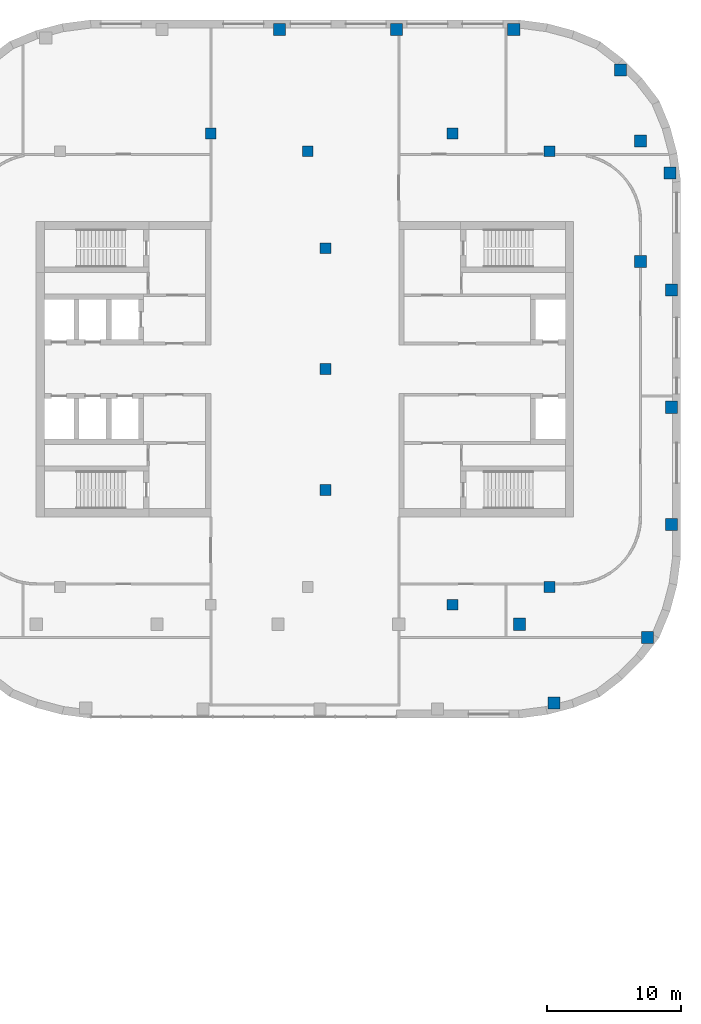
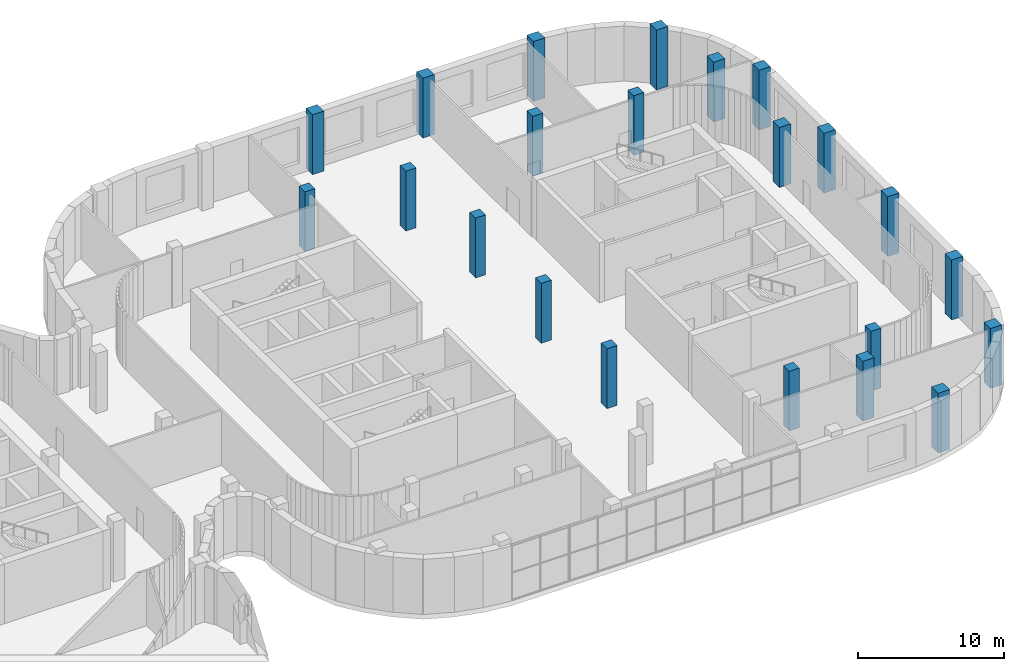
# One storey, part 2 of 24: 22 columns.
"""IFC4 building model written with IfcOpenShell, lengths in metres."""

import ifcopenshell
import ifcopenshell.guid

model = None  # the IFC model being written
_history = None  # IfcOwnerHistory: only IFC2X3 demands one
_inside = {}  # id of a spatial element -> (the spatial element, [elements in it])
_under = {}  # id of a project, library or spatial element -> (it, [spatial elements below it])
_declared = {}  # id of a project -> (the project, [libraries it declares])
_typed = {}  # id of a type object -> (the type object, [elements of that type])
_made_of = {}  # id of a material, layer set ... -> (it, [elements and type objects made of it])


def new_model(schema):
    """Start an empty IFC model of exactly this schema.

    Asked for "IFC4X3", IfcOpenShell would pick the latest addendum, in which some entities
    have other attributes; the version numbers below select the first issue.
    IFC2X3 requires an IfcOwnerHistory on every rooted entity: one is made here for all.
    """
    global model, _history
    if schema == "IFC4X3":
        model = ifcopenshell.file(schema_version=(4, 3, 0, 0))
    else:
        model = ifcopenshell.file(schema=schema)
    _inside.clear()
    _under.clear()
    _declared.clear()
    _typed.clear()
    _made_of.clear()
    _history = None
    if model.schema == "IFC2X3":
        org = make("IfcOrganization", Name="unknown")
        user = make(
            "IfcPersonAndOrganization",
            ThePerson=make("IfcPerson", FamilyName="unknown"),
            TheOrganization=org,
        )
        app = make(
            "IfcApplication",
            ApplicationDeveloper=org,
            Version="unknown",
            ApplicationFullName="unknown",
            ApplicationIdentifier="unknown",
        )
        _history = make(
            "IfcOwnerHistory",
            OwningUser=user,
            OwningApplication=app,
            ChangeAction="ADDED",
            CreationDate=0,
        )
    return model


def make(cls, **values):
    """One entity of the class cls with the attributes given. An attribute that is None is left unset."""
    return model.create_entity(
        cls, **{name: value for name, value in values.items() if value is not None}
    )


def rooted(cls, **values):
    """An entity with a GlobalId (a new one), such as an element, a storey or a relation."""
    return make(cls, GlobalId=ifcopenshell.guid.new(), OwnerHistory=_history, **values)


def si_unit(unit_type, name, prefix=None):
    """IfcSIUnit, for example si_unit("LENGTHUNIT", "METRE", prefix="MILLI")."""
    return make("IfcSIUnit", UnitType=unit_type, Prefix=prefix, Name=name)


def assignment(units):
    """IfcUnitAssignment: the units of a project."""
    return None if units is None else make("IfcUnitAssignment", Units=units)


def point(xyz):
    """IfcCartesianPoint."""
    return None if xyz is None else make("IfcCartesianPoint", Coordinates=xyz)


def direction(xyz):
    """IfcDirection."""
    return None if xyz is None else make("IfcDirection", DirectionRatios=xyz)


def frame(location, z_axis=None, x_axis=None):
    """IfcAxis2Placement3D, a coordinate frame: its origin and axes. An axis left out is left unset."""
    return make(
        "IfcAxis2Placement3D",
        Location=point(location),
        Axis=direction(z_axis),
        RefDirection=direction(x_axis),
    )


def frame_2d(location, x_axis=None):
    """IfcAxis2Placement2D, a coordinate frame in the plane: its origin and x axis."""
    return make(
        "IfcAxis2Placement2D", Location=point(location), RefDirection=direction(x_axis)
    )


def origin():
    """The frame at (0, 0, 0) with its axes left unset."""
    return frame((0.0, 0.0, 0.0))


def origin_2d():
    """The frame at (0, 0) in the plane with its x axis left unset."""
    return frame_2d((0.0, 0.0))


def place(relative_to, where):
    """IfcLocalPlacement: puts the frame where relative to a parent placement (None: the world)."""
    return make(
        "IfcLocalPlacement", PlacementRelTo=relative_to, RelativePlacement=where
    )


def context(
    kind, dimensions, precision=None, world=None, true_north=None, identifier=None
):
    """IfcGeometricRepresentationContext, for example the 3D "Model" context."""
    return make(
        "IfcGeometricRepresentationContext",
        ContextIdentifier=identifier,
        ContextType=kind,
        CoordinateSpaceDimension=dimensions,
        Precision=precision,
        WorldCoordinateSystem=world,
        TrueNorth=true_north,
    )


def subcontext(parent, identifier, kind, view, scale=None):
    """IfcGeometricRepresentationSubContext, for example "Body" below "Model"."""
    return make(
        "IfcGeometricRepresentationSubContext",
        ContextIdentifier=identifier,
        ContextType=kind,
        ParentContext=parent,
        TargetScale=scale,
        TargetView=view,
    )


def project(units=None, contexts=None):
    """IfcProject with its units and contexts."""
    return rooted(
        "IfcProject",
        Name="project",
        RepresentationContexts=contexts,
        UnitsInContext=assignment(units),
    )


def spatial(cls, under=None, at=None, **own):
    """A site, building, storey or space (cls), placed at a placement, below another one or the project."""
    s = rooted(cls, ObjectPlacement=at, **own)
    if under is not None:
        _under.setdefault(under.id(), (under, []))[1].append(s)
    return s


def profile(cls, at=None, kind="AREA", **sizes):
    """A parametric profile (cls). Its sizes go by their IFC names, for example OverallWidth=200.0."""
    return make(cls, ProfileType=kind, Position=at, **sizes)


def rectangle(**sizes):
    """IfcRectangleProfileDef."""
    return profile("IfcRectangleProfileDef", **sizes)


def extrude(swept, where, along, depth):
    """IfcExtrudedAreaSolid: the profile swept, set in the frame where, extruded along a direction by depth."""
    return make(
        "IfcExtrudedAreaSolid",
        SweptArea=swept,
        Position=where,
        ExtrudedDirection=direction(along),
        Depth=depth,
    )


def shape(context_of_items, identifier, shape_type, items):
    """IfcShapeRepresentation: the items that make up one representation, for example the "Body"."""
    return make(
        "IfcShapeRepresentation",
        ContextOfItems=context_of_items,
        RepresentationIdentifier=identifier,
        RepresentationType=shape_type,
        Items=items,
    )


def material(Name=None, Category=None):
    """IfcMaterial."""
    return make("IfcMaterial", Name=Name, Category=Category)


def material_profile(
    of_material, cross_section, Name=None, Category=None, Priority=None
):
    """IfcMaterialProfile: a cross section and its material."""
    return make(
        "IfcMaterialProfile",
        Name=Name,
        Material=of_material,
        Profile=cross_section,
        Priority=Priority,
        Category=Category,
    )


def profile_set(profiles, Name=None, composite=None):
    """IfcMaterialProfileSet."""
    return make(
        "IfcMaterialProfileSet",
        Name=Name,
        MaterialProfiles=profiles,
        CompositeProfile=composite,
    )


def made_of(thing, what):
    """Note that an element or type object is made of a material, layer set ...; save() writes the relation."""
    if what is not None:
        _made_of.setdefault(what.id(), (what, []))[1].append(thing)
    return thing


def type_object(cls, material=None, **own):
    """A type object (cls), such as IfcWallType, which elements share."""
    return made_of(rooted(cls, **own), material)


def element(
    cls,
    number,
    at=None,
    inside=None,
    cuts=None,
    type_object=None,
    material=None,
    context=None,
    identifier="Body",
    shape_type=None,
    held_by="IfcProductDefinitionShape",
    body=None,
    shapes=None,
    **own,
):
    """One element of the class cls, such as IfcWall. Its Tag is "e" and its number.

    at: its placement. inside: the storey or other place that contains it. cuts: it is an
    opening in that element (IfcRelVoidsElement). A single representation is given by context,
    identifier, shape_type and body (its items); several are given by shapes. held_by: the class
    of the entity that holds the representations. save() writes the other relations.
    """
    e = rooted(cls, Tag="e%d" % number, ObjectPlacement=at, **own)
    if body is not None:
        shapes = [shape(context, identifier, shape_type, body)]
    if shapes is not None:
        e.Representation = make(held_by, Representations=shapes)
    if inside is not None:
        _inside.setdefault(inside.id(), (inside, []))[1].append(e)
    if cuts is not None:
        rooted(
            "IfcRelVoidsElement", RelatingBuildingElement=cuts, RelatedOpeningElement=e
        )
    if type_object is not None:
        _typed.setdefault(type_object.id(), (type_object, []))[1].append(e)
    return made_of(e, material)


def aggregate(whole, parts):
    """IfcRelAggregates: a whole, such as a stair, and the parts it consists of."""
    return rooted("IfcRelAggregates", RelatingObject=whole, RelatedObjects=parts)


def save(model, path):
    """Write the relations noted so far, then the file.

    IfcRelAggregates (storeys below a building ...), IfcRelContainedInSpatialStructure (elements
    in a storey), IfcRelDefinesByType, IfcRelAssociatesMaterial and IfcRelDeclares: one each for
    every whole, place, type object, material and project.
    """
    for whole, parts in _under.values():
        aggregate(whole, parts)
    for where, things in _inside.values():
        rooted(
            "IfcRelContainedInSpatialStructure",
            RelatedElements=things,
            RelatingStructure=where,
        )
    for kind, things in _typed.values():
        rooted("IfcRelDefinesByType", RelatedObjects=things, RelatingType=kind)
    for what, things in _made_of.values():
        rooted("IfcRelAssociatesMaterial", RelatedObjects=things, RelatingMaterial=what)
    for by, libraries in _declared.values():
        rooted("IfcRelDeclares", RelatingContext=by, RelatedDefinitions=libraries)
    model.write(path)


model = new_model("IFC4")

# Units and contexts
model_context = context("Model", 3, precision=1e-05, world=origin(), true_north=direction((0.0, 1.0)))
body_context = subcontext(model_context, "Body", "Model", "MODEL_VIEW")
ifc_project = project(units=[si_unit("LENGTHUNIT", "METRE"), si_unit("AREAUNIT", "SQUARE_METRE"), si_unit("VOLUMEUNIT", "CUBIC_METRE"), si_unit("PLANEANGLEUNIT", "RADIAN"), si_unit("MASSUNIT", "GRAM", prefix="KILO")], contexts=[model_context])

# Site, building, storey
site_placement = place(None, origin())
site = spatial("IfcSite", under=ifc_project, at=site_placement, CompositionType="ELEMENT")
building_placement = place(site_placement, origin())
building = spatial("IfcBuilding", under=site, at=building_placement, Name="Skarvind Civic Tower", CompositionType="ELEMENT")
storey_placement = place(building_placement, frame((0.0, 0.0, 12.5)))
storey = spatial("IfcBuildingStorey", under=building, at=storey_placement, Name="L02", CompositionType="ELEMENT", Elevation=12.5)

# Columns
ifc_material = material(Name="Concrete C60", Category="concrete")
ifc_material_profile_1 = material_profile(ifc_material, rectangle(XDim=0.800048828125, YDim=0.800048828125, at=origin_2d()), Name="RC-800x800")
ifc_profile_set_1 = profile_set([ifc_material_profile_1], Name="Concrete C60")
column_type_1 = type_object("IfcColumnType", Name="Column RC-800x800 C60", PredefinedType="COLUMN", material=ifc_profile_set_1)
for number, where, z_axis, x_axis, name in (
    (1, (148.550048828125, 119.0, 0.0), (0.0, 0.0, 1.0), (1.0, 0.0, 0.0), "Column second tower middle line 01 L02"),
    (2, (148.550048828125, 128.0, 0.0), (0.0, 0.0, 1.0), (1.0, 0.0, 0.0), "Column second tower middle line 02 L02"),
    (3, (148.550048828125, 137.0, 0.0), (0.0, 0.0, 1.0), (1.0, 0.0, 0.0), "Column second tower middle line 03 L02"),
    (4, (140.0, 145.550048828125, 0.0), (0.0, 0.0, 1.0), (1.0, 0.0, 0.0), "Column second tower north perimeter 02 L02"),
    (5, (147.222900390625, 144.222900390625, 0.0), (0.0, 0.0, 1.0), (1.0, 0.0, 0.0), "Column second tower north perimeter 03 L02"),
    (6, (165.222900390625, 144.222900390625, 0.0), (0.0, 0.0, 1.0), (1.0, 0.0, 0.0), "Column second tower north-east corner L02"),
    (7, (165.222900390625, 111.777099609375, 0.0), (0.0, 0.0, 1.0), (1.0, 0.0, 0.0), "Column second tower south-east corner L02"),
    (8, (158.0, 145.550048828125, 0.0), (0.0, 0.0, 1.0), (1.0, 0.0, 0.0), "Column second tower north perimeter 04 L02"),
    (9, (158.0, 110.449951171875, 0.0), (0.0, 0.0, 1.0), (1.0, 0.0, 0.0), "Column second tower south perimeter 04 L02"),
):
    element("IfcColumn", number, at=place(storey_placement, frame(where, z_axis=z_axis, x_axis=x_axis)), inside=storey, type_object=column_type_1, Name=name, PredefinedType="COLUMN", context=body_context, shape_type="SweptSolid", body=[
        extrude(rectangle(XDim=0.800048828125, YDim=0.800048828125, at=origin_2d()), origin(), (0.0, 0.0, 1.0), 5.0),
    ])
ifc_material_profile_2 = material_profile(ifc_material, rectangle(XDim=0.89990234375, YDim=0.89990234375, at=origin_2d()), Name="RC-900x900")
ifc_profile_set_2 = profile_set([ifc_material_profile_2], Name="Concrete C60")
column_type_2 = type_object("IfcColumnType", Name="Column RC-900x900 C60", PredefinedType="COLUMN", material=ifc_profile_set_2)
for number, where, z_axis, x_axis, name in (
    (10, (163.0, 109.0, 0.0), (0.0, 0.0, 1.0), (1.0, 0.0, 0.0), "Column podium grid 104 L02"),
    (11, (172.0, 136.0, 0.0), (0.0, 0.0, 1.0), (1.0, 0.0, 0.0), "Column podium grid 105 L02"),
    (12, (172.0, 145.0, 0.0), (0.0, 0.0, 1.0), (1.0, 0.0, 0.0), "Column podium grid 106 L02"),
    (13, (145.1015625, 153.300048828125, 0.0), (0.0, 0.0, 1.0), (1.0, 0.0, 0.0), "Column podium edge 31 L02"),
    (14, (153.8310546875, 153.300048828125, 0.0), (0.0, 0.0, 1.0), (1.0, 0.0, 0.0), "Column podium edge 32 L02"),
    (15, (162.560791015625, 153.300048828125, 0.0), (0.0, 0.0, 1.0), (1.0, 0.0, 0.0), "Column podium edge 33 L02"),
    (16, (170.520751953125, 150.26708984375, 0.0), (0.0, 0.0, 1.0), (1.0, 0.0, 0.0), "Column podium edge 34 L02"),
    (17, (174.210693359375, 142.610595703125, 0.0), (0.0, 0.0, 1.0), (1.0, 0.0, 0.0), "Column podium edge 35 L02"),
    (18, (174.300048828125, 133.88671875, 0.0), (0.0, 0.0, 1.0), (1.0, 0.0, 0.0), "Column podium edge 36 L02"),
    (19, (174.300048828125, 125.1572265625, 0.0), (0.0, 0.0, 1.0), (1.0, 0.0, 0.0), "Column podium edge 37 L02"),
    (20, (174.300048828125, 116.427490234375, 0.0), (0.0, 0.0, 1.0), (1.0, 0.0, 0.0), "Column podium edge 38 L02"),
    (21, (172.520751953125, 108.018798828125, 0.0), (0.0, 0.0, 1.0), (1.0, 0.0, 0.0), "Column podium edge 39 L02"),
    (22, (165.565673828125, 103.1298828125, 0.0), (0.0, 0.0, 1.0), (1.0, 0.0, 0.0), "Column podium edge 40 L02"),
):
    element("IfcColumn", number, at=place(storey_placement, frame(where, z_axis=z_axis, x_axis=x_axis)), inside=storey, type_object=column_type_2, Name=name, PredefinedType="COLUMN", context=body_context, shape_type="SweptSolid", body=[
        extrude(rectangle(XDim=0.89990234375, YDim=0.89990234375, at=origin_2d()), origin(), (0.0, 0.0, 1.0), 5.0),
    ])

save(model, "model.ifc")
